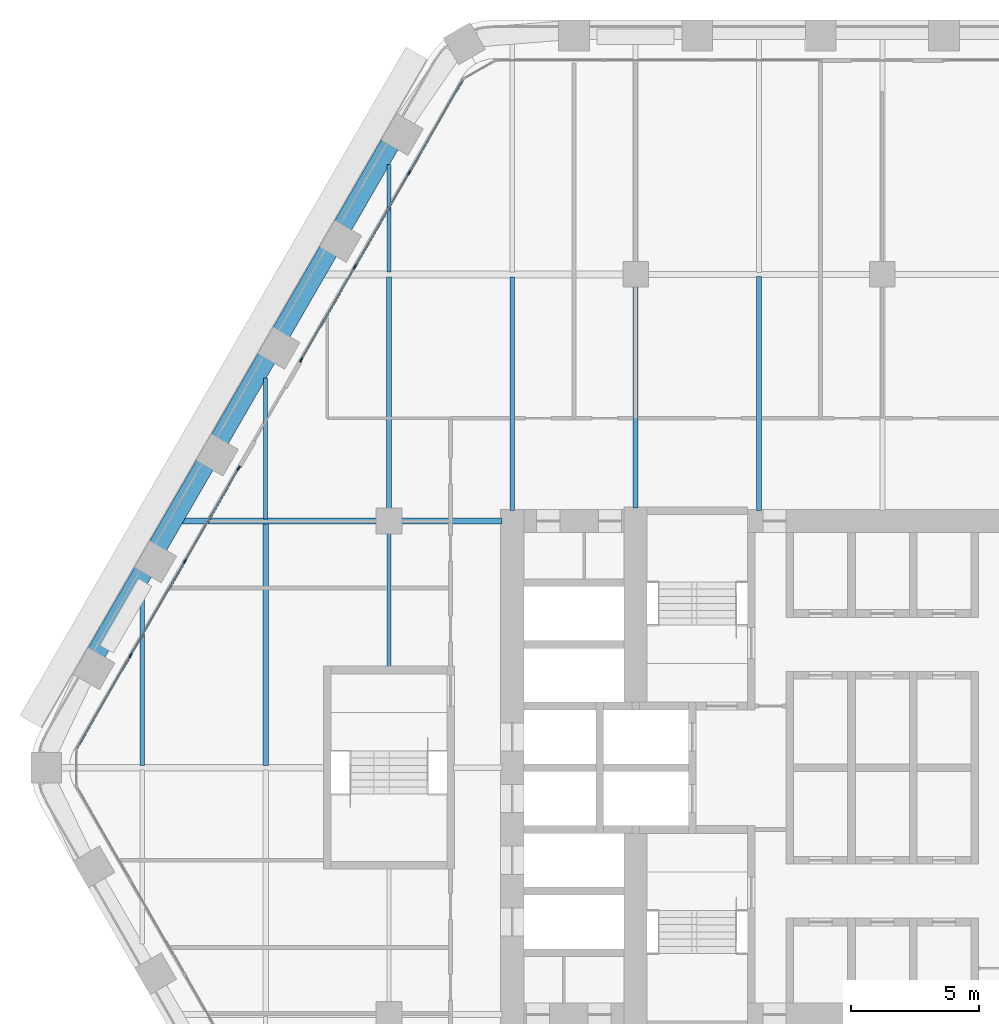
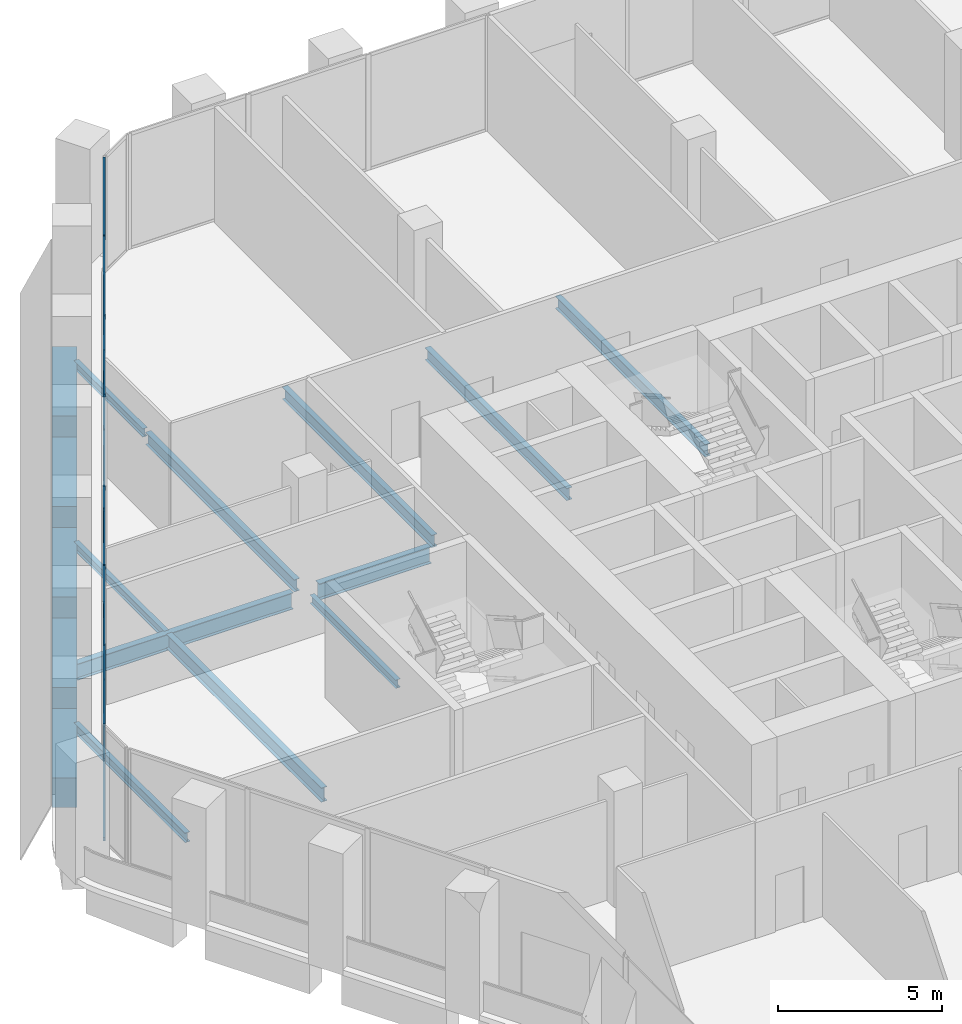
# One storey, part 6 of 23: 18 members, 16 beams, 2 elements without a shape of their own.
"""IFC4 building model written with IfcOpenShell, lengths in metres."""

from ifc_helpers import new_model, si_unit, direction, frame, origin, origin_2d, place, context, subcontext, project, spatial, rectangle, i_section, extrude, material, material_profile, profile_set, type_object, element, aggregate, save


model = new_model("IFC4")

# Units and contexts
model_context = context("Model", 3, precision=1e-05, world=origin(), true_north=direction((0.0, 1.0)))
body_context = subcontext(model_context, "Body", "Model", "MODEL_VIEW")
ifc_project = project(units=[si_unit("LENGTHUNIT", "METRE"), si_unit("AREAUNIT", "SQUARE_METRE"), si_unit("VOLUMEUNIT", "CUBIC_METRE"), si_unit("PLANEANGLEUNIT", "RADIAN"), si_unit("MASSUNIT", "GRAM", prefix="KILO")], contexts=[model_context])

# Site, building, storey
site_placement = place(None, origin())
site = spatial("IfcSite", under=ifc_project, at=site_placement, CompositionType="ELEMENT")
building_placement = place(site_placement, origin())
building = spatial("IfcBuilding", under=site, at=building_placement, Name="Kolab Exchange Tower", CompositionType="ELEMENT")
storey_placement = place(building_placement, frame((0.0, 0.0, 100.39990234375)))
storey = spatial("IfcBuildingStorey", under=building, at=storey_placement, Name="L19", CompositionType="ELEMENT", Elevation=100.39990234375)

# Beams
ifc_material_1 = material(Name="Steel S355", Category="steel")
ifc_material_profile_1 = material_profile(ifc_material_1, i_section(OverallWidth=0.1650390625, OverallDepth=0.31005859375, WebThickness=0.005859375, FlangeThickness=0.009765625, at=origin_2d()), Name="W310X39")
ifc_profile_set_1 = profile_set([ifc_material_profile_1], Name="Steel S355")
beam_type_1 = type_object("IfcBeamType", Name="FLOOR BEAM W310X39", PredefinedType="BEAM", material=ifc_profile_set_1)
beam_1_placement = place(storey_placement, frame((-24.0, 9.674072265625, -0.35498046875), z_axis=(0.0, 1.0, 0.0), x_axis=(-1.0, 0.0, 0.0)))
element("IfcBeam", 1, at=beam_1_placement, inside=storey, type_object=beam_type_1, Name="beam/L19/fr/005", PredefinedType="BEAM", context=body_context, shape_type="SweptSolid", body=[
    extrude(i_section(OverallWidth=0.1650390625, OverallDepth=0.31005859375, WebThickness=0.005859375, FlangeThickness=0.009765625, at=origin_2d()), origin(), (0.0, 0.0, 1.0), 5.49365234375),
])
beam_2_placement = place(storey_placement, frame((-19.199951171875, 3.909912109375, -0.35498046875), z_axis=(0.0, 1.0, 0.0), x_axis=(-1.0, 0.0, 0.0)))
element("IfcBeam", 2, at=beam_2_placement, inside=storey, type_object=beam_type_1, Name="beam/L19/fr/009", PredefinedType="BEAM", context=body_context, shape_type="SweptSolid", body=[
    extrude(i_section(OverallWidth=0.1650390625, OverallDepth=0.31005859375, WebThickness=0.005859375, FlangeThickness=0.009765625, at=origin_2d()), origin(), (0.0, 0.0, 1.0), 5.22998046875),
])
beam_3_placement = place(storey_placement, frame((-19.199951171875, 19.29345703125, -0.35498046875), z_axis=(0.0, 1.0, 0.0), x_axis=(-1.0, 0.0, 0.0)))
element("IfcBeam", 3, at=beam_3_placement, inside=storey, type_object=beam_type_1, Name="beam/L19/fr/011", PredefinedType="BEAM", context=body_context, shape_type="SweptSolid", body=[
    extrude(i_section(OverallWidth=0.1650390625, OverallDepth=0.31005859375, WebThickness=0.005859375, FlangeThickness=0.009765625, at=origin_2d()), origin(), (0.0, 0.0, 1.0), 4.18798828125),
])
ifc_material_profile_2 = material_profile(ifc_material_1, i_section(OverallWidth=0.1708984375, OverallDepth=0.35498046875, WebThickness=0.007080078125, FlangeThickness=0.01171875, at=origin_2d()), Name="W360X51")
ifc_profile_set_2 = profile_set([ifc_material_profile_2], Name="Steel S355")
beam_type_2 = type_object("IfcBeamType", Name="FLOOR BEAM W360X51", PredefinedType="BEAM", material=ifc_profile_set_2)
beam_4_placement = place(storey_placement, frame((-28.800048828125, 0.0869140625, -0.37744140625), z_axis=(0.0, 1.0, 0.0), x_axis=(-1.0, 0.0, 0.0)))
element("IfcBeam", 4, at=beam_4_placement, inside=storey, type_object=beam_type_2, Name="beam/L19/fr/001", PredefinedType="BEAM", context=body_context, shape_type="SweptSolid", body=[
    extrude(i_section(OverallWidth=0.1708984375, OverallDepth=0.35498046875, WebThickness=0.007080078125, FlangeThickness=0.01171875, at=origin_2d()), origin(), (0.0, 0.0, 1.0), 6.766845703125),
])
ifc_material_profile_3 = material_profile(ifc_material_1, i_section(OverallWidth=0.18994140625, OverallDepth=0.45703125, WebThickness=0.009033203125, FlangeThickness=0.014404296875, at=origin_2d()), Name="W460X74")
ifc_profile_set_3 = profile_set([ifc_material_profile_3], Name="Steel S355")
beam_type_3 = type_object("IfcBeamType", Name="FLOOR BEAM W460X74", PredefinedType="BEAM", material=ifc_profile_set_3)
beam_5_placement = place(storey_placement, frame((-19.199951171875, 10.06005859375, -0.428466796875), z_axis=(0.0, 1.0, 0.0), x_axis=(-1.0, 0.0, 0.0)))
element("IfcBeam", 5, at=beam_5_placement, inside=storey, type_object=beam_type_3, Name="beam/L19/fr/010", PredefinedType="BEAM", context=body_context, shape_type="SweptSolid", body=[
    extrude(i_section(OverallWidth=0.18994140625, OverallDepth=0.45703125, WebThickness=0.009033203125, FlangeThickness=0.014404296875, at=origin_2d()), origin(), (0.0, 0.0, 1.0), 9.04638671875),
])
beam_6_placement = place(storey_placement, frame((-14.39990234375, 10.010009765625, -0.428466796875), z_axis=(0.0, 1.0, 0.0), x_axis=(-1.0, 0.0, 0.0)))
element("IfcBeam", 6, at=beam_6_placement, inside=storey, type_object=beam_type_3, Name="beam/L19/fr/014", PredefinedType="BEAM", context=body_context, shape_type="SweptSolid", body=[
    extrude(i_section(OverallWidth=0.18994140625, OverallDepth=0.45703125, WebThickness=0.009033203125, FlangeThickness=0.014404296875, at=origin_2d()), origin(), (0.0, 0.0, 1.0), 9.096435546875),
])
beam_7_placement = place(storey_placement, frame((-9.60009765625, 10.110107421875, -0.428466796875), z_axis=(0.0, 1.0, 0.0), x_axis=(-1.0, 0.0, 0.0)))
element("IfcBeam", 7, at=beam_7_placement, inside=storey, type_object=beam_type_3, Name="beam/L19/fr/018", PredefinedType="BEAM", context=body_context, shape_type="SweptSolid", body=[
    extrude(i_section(OverallWidth=0.18994140625, OverallDepth=0.45703125, WebThickness=0.009033203125, FlangeThickness=0.014404296875, at=origin_2d()), origin(), (0.0, 0.0, 1.0), 8.6298828125),
])
beam_8_placement = place(storey_placement, frame((-4.800048828125, 10.010009765625, -0.428466796875), z_axis=(0.0, 1.0, 0.0), x_axis=(-1.0, 0.0, 0.0)))
element("IfcBeam", 8, at=beam_8_placement, inside=storey, type_object=beam_type_3, Name="beam/L19/fr/022", PredefinedType="BEAM", context=body_context, shape_type="SweptSolid", body=[
    extrude(i_section(OverallWidth=0.18994140625, OverallDepth=0.45703125, WebThickness=0.009033203125, FlangeThickness=0.014404296875, at=origin_2d()), origin(), (0.0, 0.0, 1.0), 9.115966796875),
])
ifc_material_profile_4 = material_profile(ifc_material_1, i_section(OverallWidth=0.208984375, OverallDepth=0.532958984375, WebThickness=0.01025390625, FlangeThickness=0.015625, at=origin_2d()), Name="W530X92")
ifc_profile_set_4 = profile_set([ifc_material_profile_4], Name="Steel S355")
beam_type_4 = type_object("IfcBeamType", Name="FLOOR BEAM W530X92", PredefinedType="BEAM", material=ifc_profile_set_4)
beam_9_placement = place(storey_placement, frame((-24.0, 0.0869140625, -0.46630859375), z_axis=(0.0, 1.0, 0.0), x_axis=(-1.0, 0.0, 0.0)))
element("IfcBeam", 9, at=beam_9_placement, inside=storey, type_object=beam_type_4, Name="beam/L19/fr/004", PredefinedType="BEAM", context=body_context, shape_type="SweptSolid", body=[
    extrude(i_section(OverallWidth=0.208984375, OverallDepth=0.532958984375, WebThickness=0.01025390625, FlangeThickness=0.015625, at=origin_2d()), origin(), (0.0, 0.0, 1.0), 9.43896484375),
])
ifc_material_profile_5 = material_profile(ifc_material_1, i_section(OverallWidth=0.22802734375, OverallDepth=0.60791015625, WebThickness=0.01123046875, FlangeThickness=0.017333984375, at=origin_2d()), Name="W610X113")
ifc_profile_set_5 = profile_set([ifc_material_profile_5], Name="Steel S355")
beam_type_5 = type_object("IfcBeamType", Name="FLOOR GIRDER W610X113", PredefinedType="BEAM", material=ifc_profile_set_5)
beam_10_placement = place(storey_placement, frame((-27.2314453125, 9.60009765625, -0.50390625), z_axis=(1.0, 0.0, 0.0), x_axis=(0.0, 1.0, 0.0)))
element("IfcBeam", 10, at=beam_10_placement, inside=storey, type_object=beam_type_5, Name="beam/L19/gd/002", PredefinedType="BEAM", context=body_context, shape_type="SweptSolid", body=[
    extrude(i_section(OverallWidth=0.22802734375, OverallDepth=0.60791015625, WebThickness=0.01123046875, FlangeThickness=0.017333984375, at=origin_2d()), origin(), (0.0, 0.0, 1.0), 7.571533203125),
])
beam_11_placement = place(storey_placement, frame((-18.739990234375, 9.60009765625, -0.50390625), z_axis=(1.0, 0.0, 0.0), x_axis=(0.0, 1.0, 0.0)))
element("IfcBeam", 11, at=beam_11_placement, inside=storey, type_object=beam_type_5, Name="beam/L19/gd/006", PredefinedType="BEAM", context=body_context, shape_type="SweptSolid", body=[
    extrude(i_section(OverallWidth=0.22802734375, OverallDepth=0.60791015625, WebThickness=0.01123046875, FlangeThickness=0.017333984375, at=origin_2d()), origin(), (0.0, 0.0, 1.0), 3.929931640625),
])
ifc_material_2 = material(Name="Concrete C70/85", Category="concrete")
ifc_material_profile_6 = material_profile(ifc_material_2, rectangle(XDim=0.75, YDim=1.10009765625, at=origin_2d()), Name="RC750X1100")
ifc_profile_set_6 = profile_set([ifc_material_profile_6], Name="Concrete C70/85")
beam_type_6 = type_object("IfcBeamType", Name="SPANDREL BEAM 750X1100 C70/85", PredefinedType="BEAM", material=ifc_profile_set_6)
for number, where, z_axis, x_axis, name in (
    (12, (-30.59521484375, 4.454345703125, -0.75), (0.500013413428, 0.866017659399, 0.0), (-0.866017659399, 0.500013413428, 0.0), "beam/L19/sp/F6-02"),
    (13, (-28.1953125, 8.611328125, -0.75), (0.500013413428, 0.866017659399, 0.0), (-0.866017659399, 0.500013413428, 0.0), "beam/L19/sp/F6-03"),
):
    element("IfcBeam", number, at=place(storey_placement, frame(where, z_axis=z_axis, x_axis=x_axis)), inside=storey, type_object=beam_type_6, Name=name, PredefinedType="BEAM", context=body_context, shape_type="SweptSolid", body=[
        extrude(rectangle(XDim=0.75, YDim=1.10009765625, at=origin_2d()), origin(), (0.0, 0.0, 1.0), 3.68017578125),
    ])
beam_12_placement = place(storey_placement, frame((-25.795166015625, 12.768310546875, -0.75), z_axis=(0.499963655964, 0.866046386007, 0.0), x_axis=(-0.866046386007, 0.499963655964, 0.0)))
element("IfcBeam", 14, at=beam_12_placement, inside=storey, type_object=beam_type_6, Name="beam/L19/sp/F6-04", PredefinedType="BEAM", context=body_context, shape_type="SweptSolid", body=[
    extrude(rectangle(XDim=0.75, YDim=1.10009765625, at=origin_2d()), origin(), (0.0, 0.0, 1.0), 3.679931640625),
])
for number, where, z_axis, x_axis, name in (
    (15, (-23.395263671875, 16.925048828125, -0.75), (0.500013413428, 0.866017659399, 0.0), (-0.866017659399, 0.500013413428, 0.0), "beam/L19/sp/F6-05"),
    (16, (-20.995361328125, 21.08203125, -0.75), (0.500013413428, 0.866017659399, 0.0), (-0.866017659399, 0.500013413428, 0.0), "beam/L19/sp/F6-06"),
):
    element("IfcBeam", number, at=place(storey_placement, frame(where, z_axis=z_axis, x_axis=x_axis)), inside=storey, type_object=beam_type_6, Name=name, PredefinedType="BEAM", context=body_context, shape_type="SweptSolid", body=[
        extrude(rectangle(XDim=0.75, YDim=1.10009765625, at=origin_2d()), origin(), (0.0, 0.0, 1.0), 3.68017578125),
    ])

# Curtain wall, members
ifc_material_3 = material(Name="Aluminium EN AW-6063 T6", Category="aluminium")
curtain_wall_type = type_object("IfcCurtainWallType", Name="UNITISED LOWER MID ZONE CURTAIN WALL", PredefinedType="NOTDEFINED", material=ifc_material_3)
curtain_wall_1_placement = place(storey_placement, origin())
curtain_wall_1 = element("IfcCurtainWall", 17, at=curtain_wall_1_placement, inside=storey, type_object=curtain_wall_type, Name="cw/L19/F6-1", PredefinedType="NOTDEFINED")
ifc_material_profile_7 = material_profile(ifc_material_3, rectangle(XDim=0.06005859375, YDim=0.179931640625, at=origin_2d()), Name="RECT 60X180")
ifc_profile_set_7 = profile_set([ifc_material_profile_7], Name="Aluminium EN AW-6063 T6")
member_type_1 = type_object("IfcMemberType", Name="UNITISED LOWER MID ZONE MULLION 60 X 180", PredefinedType="MULLION", material=ifc_profile_set_7)
member_1_placement = place(storey_placement, frame((-29.25439453125, 4.366943359375, 0.0), z_axis=(0.0, 0.0, 1.0), x_axis=(-0.866025427826, 0.499999958358, 0.0)))
member_1 = element("IfcMember", 18, at=member_1_placement, type_object=member_type_1, Name="CW2 mullion 2", PredefinedType="MULLION", context=body_context, shape_type="SweptSolid", body=[
    extrude(rectangle(XDim=0.06005859375, YDim=0.179931640625, at=origin_2d()), origin(), (0.0, 0.0, 1.0), 4.300048828125),
])
member_2_placement = place(storey_placement, frame((-27.14306640625, 8.02392578125, 0.0), z_axis=(0.0, 0.0, 1.0), x_axis=(-0.866025427826, 0.499999958358, 0.0)))
member_2 = element("IfcMember", 19, at=member_2_placement, type_object=member_type_1, Name="CW2 mullion 3", PredefinedType="MULLION", context=body_context, shape_type="SweptSolid", body=[
    extrude(rectangle(XDim=0.06005859375, YDim=0.179931640625, at=origin_2d()), origin(), (0.0, 0.0, 1.0), 4.300048828125),
])
member_3_placement = place(storey_placement, frame((-25.046630859375, 11.65478515625, 0.0), z_axis=(0.0, 0.0, 1.0), x_axis=(-0.866025427826, 0.499999958358, 0.0)))
member_3 = element("IfcMember", 20, at=member_3_placement, type_object=member_type_1, Name="CW2 mullion 4", PredefinedType="MULLION", context=body_context, shape_type="SweptSolid", body=[
    extrude(rectangle(XDim=0.06005859375, YDim=0.179931640625, at=origin_2d()), origin(), (0.0, 0.0, 1.0), 4.300048828125),
])

curtain_wall_2_placement = place(storey_placement, origin())
curtain_wall_2 = element("IfcCurtainWall", 21, at=curtain_wall_2_placement, inside=storey, type_object=curtain_wall_type, Name="cw/L19/F6-2", PredefinedType="NOTDEFINED")
member_4_placement = place(storey_placement, frame((-22.61669921875, 15.86376953125, 0.0), z_axis=(0.0, 0.0, 1.0), x_axis=(-0.866025393644, 0.500000017564, 0.0)))
member_4 = element("IfcMember", 22, at=member_4_placement, type_object=member_type_1, Name="CW2 mullion 1", PredefinedType="MULLION", context=body_context, shape_type="SweptSolid", body=[
    extrude(rectangle(XDim=0.06005859375, YDim=0.179931640625, at=origin_2d()), origin(), (0.0, 0.0, 1.0), 4.300048828125),
])
member_5_placement = place(storey_placement, frame((-20.520263671875, 19.49462890625, 0.0), z_axis=(0.0, 0.0, 1.0), x_axis=(-0.866025393644, 0.500000017564, 0.0)))
member_5 = element("IfcMember", 23, at=member_5_placement, type_object=member_type_1, Name="CW2 mullion 2", PredefinedType="MULLION", context=body_context, shape_type="SweptSolid", body=[
    extrude(rectangle(XDim=0.06005859375, YDim=0.179931640625, at=origin_2d()), origin(), (0.0, 0.0, 1.0), 4.300048828125),
])
member_6_placement = place(storey_placement, frame((-18.408935546875, 23.151611328125, 0.0), z_axis=(0.0, 0.0, 1.0), x_axis=(-0.866025393644, 0.500000017564, 0.0)))
member_6 = element("IfcMember", 24, at=member_6_placement, type_object=member_type_1, Name="CW2 mullion 3", PredefinedType="MULLION", context=body_context, shape_type="SweptSolid", body=[
    extrude(rectangle(XDim=0.06005859375, YDim=0.179931640625, at=origin_2d()), origin(), (0.0, 0.0, 1.0), 4.300048828125),
])

# Member
ifc_material_profile_8 = material_profile(ifc_material_3, rectangle(XDim=0.06005859375, YDim=0.1201171875, at=origin_2d()), Name="RECT 60X120")
ifc_profile_set_8 = profile_set([ifc_material_profile_8], Name="Aluminium EN AW-6063 T6")
member_type_2 = type_object("IfcMemberType", Name="UNITISED LOWER MID ZONE TRANSOM 60 X 120", PredefinedType="USERDEFINED", material=ifc_profile_set_8)
member_7_placement = place(storey_placement, frame((-31.335693359375, 0.761962890625, 0.030029296875), z_axis=(0.500027577057, 0.866009481578, 0.0), x_axis=(-0.866009481578, 0.500027577057, 0.0)))
member_7 = element("IfcMember", 25, at=member_7_placement, type_object=member_type_2, Name="CW2 transom 1.1", ObjectType="TRANSOM", PredefinedType="USERDEFINED", context=body_context, shape_type="SweptSolid", body=[
    extrude(rectangle(XDim=0.06005859375, YDim=0.1201171875, at=origin_2d()), origin(), (0.0, 0.0, 1.0), 4.132568359375),
])

member_8_placement = place(storey_placement, frame((-31.335693359375, 0.761962890625, 4.27001953125), z_axis=(0.500027577057, 0.866009481578, 0.0), x_axis=(-0.866009481578, 0.500027577057, 0.0)))
member_8 = element("IfcMember", 26, at=member_8_placement, type_object=member_type_2, Name="CW2 transom 1.2", ObjectType="TRANSOM", PredefinedType="USERDEFINED", context=body_context, shape_type="SweptSolid", body=[
    extrude(rectangle(XDim=0.06005859375, YDim=0.1201171875, at=origin_2d()), origin(), (0.0, 0.0, 1.0), 4.132568359375),
])

member_9_placement = place(storey_placement, frame((-29.2392578125, 4.392822265625, 0.030029296875), z_axis=(0.49999322259, 0.866029316688, 0.0), x_axis=(-0.866029316688, 0.49999322259, 0.0)))
member_9 = element("IfcMember", 27, at=member_9_placement, type_object=member_type_2, Name="CW2 transom 2.1", ObjectType="TRANSOM", PredefinedType="USERDEFINED", context=body_context, shape_type="SweptSolid", body=[
    extrude(rectangle(XDim=0.06005859375, YDim=0.1201171875, at=origin_2d()), origin(), (0.0, 0.0, 1.0), 4.16259765625),
])

member_10_placement = place(storey_placement, frame((-29.2392578125, 4.392822265625, 4.27001953125), z_axis=(0.49999322259, 0.866029316688, 0.0), x_axis=(-0.866029316688, 0.49999322259, 0.0)))
member_10 = element("IfcMember", 28, at=member_10_placement, type_object=member_type_2, Name="CW2 transom 2.2", ObjectType="TRANSOM", PredefinedType="USERDEFINED", context=body_context, shape_type="SweptSolid", body=[
    extrude(rectangle(XDim=0.06005859375, YDim=0.1201171875, at=origin_2d()), origin(), (0.0, 0.0, 1.0), 4.16259765625),
])

member_11_placement = place(storey_placement, frame((-27.1279296875, 8.0498046875, 0.030029296875), z_axis=(0.499957688808, 0.866049830784, 0.0), x_axis=(-0.866049830784, 0.499957688808, 0.0)))
member_11 = element("IfcMember", 29, at=member_11_placement, type_object=member_type_2, Name="CW2 transom 3.1", ObjectType="TRANSOM", PredefinedType="USERDEFINED", context=body_context, shape_type="SweptSolid", body=[
    extrude(rectangle(XDim=0.06005859375, YDim=0.1201171875, at=origin_2d()), origin(), (0.0, 0.0, 1.0), 4.132568359375),
])

member_12_placement = place(storey_placement, frame((-27.1279296875, 8.0498046875, 4.27001953125), z_axis=(0.499957688808, 0.866049830784, 0.0), x_axis=(-0.866049830784, 0.499957688808, 0.0)))
member_12 = element("IfcMember", 30, at=member_12_placement, type_object=member_type_2, Name="CW2 transom 3.2", ObjectType="TRANSOM", PredefinedType="USERDEFINED", context=body_context, shape_type="SweptSolid", body=[
    extrude(rectangle(XDim=0.06005859375, YDim=0.1201171875, at=origin_2d()), origin(), (0.0, 0.0, 1.0), 4.132568359375),
])

aggregate(curtain_wall_1, [member_1, member_2, member_3, member_7, member_8, member_9, member_10, member_11, member_12])

member_13_placement = place(storey_placement, frame((-22.6015625, 15.8896484375, 0.030029296875), z_axis=(0.499957688808, 0.866049830784, 0.0), x_axis=(-0.866049830784, 0.499957688808, 0.0)))
member_13 = element("IfcMember", 31, at=member_13_placement, type_object=member_type_2, Name="CW2 transom 1.1", ObjectType="TRANSOM", PredefinedType="USERDEFINED", context=body_context, shape_type="SweptSolid", body=[
    extrude(rectangle(XDim=0.06005859375, YDim=0.1201171875, at=origin_2d()), origin(), (0.0, 0.0, 1.0), 4.132568359375),
])

member_14_placement = place(storey_placement, frame((-22.6015625, 15.8896484375, 4.27001953125), z_axis=(0.499957688808, 0.866049830784, 0.0), x_axis=(-0.866049830784, 0.499957688808, 0.0)))
member_14 = element("IfcMember", 32, at=member_14_placement, type_object=member_type_2, Name="CW2 transom 1.2", ObjectType="TRANSOM", PredefinedType="USERDEFINED", context=body_context, shape_type="SweptSolid", body=[
    extrude(rectangle(XDim=0.06005859375, YDim=0.1201171875, at=origin_2d()), origin(), (0.0, 0.0, 1.0), 4.132568359375),
])

member_15_placement = place(storey_placement, frame((-20.50537109375, 19.5205078125, 0.030029296875), z_axis=(0.49999322259, 0.866029316688, 0.0), x_axis=(-0.866029316688, 0.49999322259, 0.0)))
member_15 = element("IfcMember", 33, at=member_15_placement, type_object=member_type_2, Name="CW2 transom 2.1", ObjectType="TRANSOM", PredefinedType="USERDEFINED", context=body_context, shape_type="SweptSolid", body=[
    extrude(rectangle(XDim=0.06005859375, YDim=0.1201171875, at=origin_2d()), origin(), (0.0, 0.0, 1.0), 4.16259765625),
])

member_16_placement = place(storey_placement, frame((-20.50537109375, 19.5205078125, 4.27001953125), z_axis=(0.49999322259, 0.866029316688, 0.0), x_axis=(-0.866029316688, 0.49999322259, 0.0)))
member_16 = element("IfcMember", 34, at=member_16_placement, type_object=member_type_2, Name="CW2 transom 2.2", ObjectType="TRANSOM", PredefinedType="USERDEFINED", context=body_context, shape_type="SweptSolid", body=[
    extrude(rectangle(XDim=0.06005859375, YDim=0.1201171875, at=origin_2d()), origin(), (0.0, 0.0, 1.0), 4.16259765625),
])

member_17_placement = place(storey_placement, frame((-18.39404296875, 23.177490234375, 0.030029296875), z_axis=(0.500001996123, 0.866024251319, 0.0), x_axis=(-0.866024251319, 0.500001996123, 0.0)))
member_17 = element("IfcMember", 35, at=member_17_placement, type_object=member_type_2, Name="CW2 transom 3.1", ObjectType="TRANSOM", PredefinedType="USERDEFINED", context=body_context, shape_type="SweptSolid", body=[
    extrude(rectangle(XDim=0.06005859375, YDim=0.1201171875, at=origin_2d()), origin(), (0.0, 0.0, 1.0), 4.1328125),
])

member_18_placement = place(storey_placement, frame((-18.39404296875, 23.177490234375, 4.27001953125), z_axis=(0.500001996123, 0.866024251319, 0.0), x_axis=(-0.866024251319, 0.500001996123, 0.0)))
member_18 = element("IfcMember", 36, at=member_18_placement, type_object=member_type_2, Name="CW2 transom 3.2", ObjectType="TRANSOM", PredefinedType="USERDEFINED", context=body_context, shape_type="SweptSolid", body=[
    extrude(rectangle(XDim=0.06005859375, YDim=0.1201171875, at=origin_2d()), origin(), (0.0, 0.0, 1.0), 4.1328125),
])

aggregate(curtain_wall_2, [member_4, member_5, member_6, member_13, member_14, member_15, member_16, member_17, member_18])

save(model, "model.ifc")
